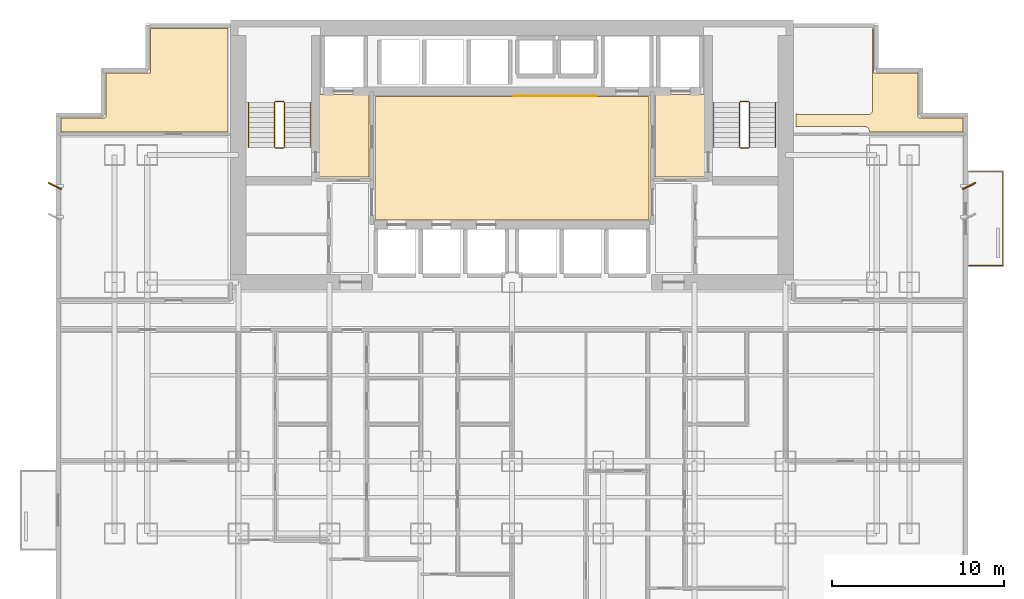
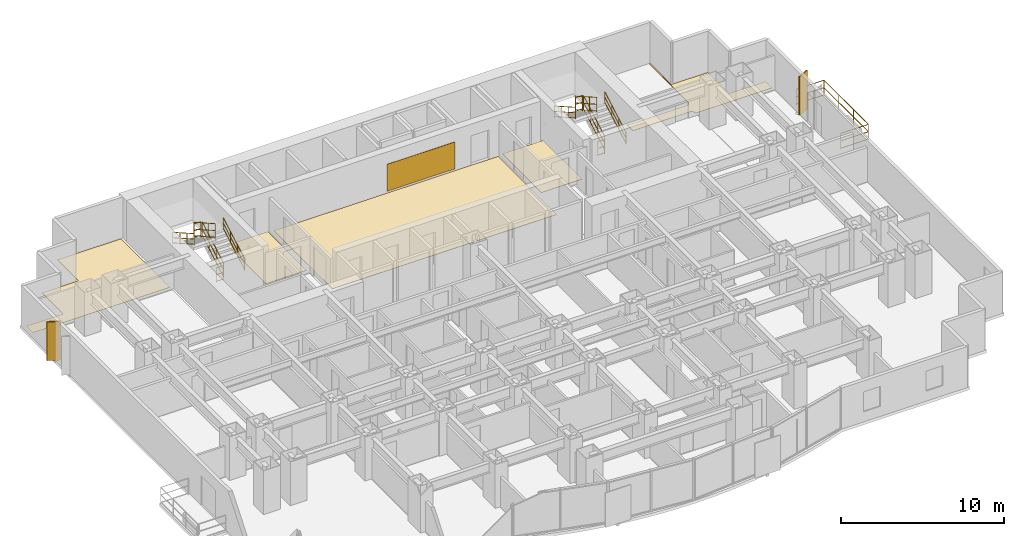
# One storey, part 10 of 10: 13 railings, 6 coverings, 2 shading devices.
"""IFC4 building model written with IfcOpenShell, lengths in metres."""

from ifc_helpers import new_model, si_unit, direction, frame, origin, origin_2d, place, context, subcontext, project, spatial, polyline, rectangle, circle, outline, extrude, source, transform, mapped, material, layer, layer_set, type_object, element, save


model = new_model("IFC4")

# Units and contexts
model_context = context("Model", 3, precision=1e-05, world=origin(), true_north=direction((0.0, 1.0)))
body_context = subcontext(model_context, "Body", "Model", "MODEL_VIEW")
ifc_project = project(units=[si_unit("LENGTHUNIT", "METRE"), si_unit("AREAUNIT", "SQUARE_METRE"), si_unit("VOLUMEUNIT", "CUBIC_METRE"), si_unit("PLANEANGLEUNIT", "RADIAN"), si_unit("MASSUNIT", "GRAM", prefix="KILO")], contexts=[model_context])

# Site, building, storey
site_placement = place(None, origin())
site = spatial("IfcSite", under=ifc_project, at=site_placement, CompositionType="ELEMENT")
building_placement = place(site_placement, origin())
building = spatial("IfcBuilding", under=site, at=building_placement, Name="Qianlan Lanfeng Residences", CompositionType="ELEMENT")
storey_placement = place(building_placement, frame((0.0, 0.0, 37.39990234375)))
storey = spatial("IfcBuildingStorey", under=building, at=storey_placement, Name="L09", CompositionType="ELEMENT", Elevation=37.39990234375)

# Coverings
ifc_material_1 = material(Name="Anodised Bronze Feature Wall Cladding")
ifc_layer_1 = layer(ifc_material_1, 0.02490234375)
ifc_layer_set_1 = layer_set([ifc_layer_1], Name="Anodised Bronze Feature Wall Cladding")
covering_type_1 = type_object("IfcCoveringType", Name="CLD-BRZ-25", PredefinedType="CLADDING", material=ifc_layer_set_1)
covering_1_placement = place(storey_placement, frame((0.0, 0.0, 0.150146484375)))
element("IfcCovering", 1, at=covering_1_placement, inside=storey, type_object=covering_type_1, Name="L09 Lift Lobby Bronze Feature Cladding", PredefinedType="CLADDING", context=body_context, shape_type="SweptSolid", body=[
    extrude(outline(polyline([(26.60009765625, 36.02490234375), (31.39990234375, 36.02490234375), (31.39990234375, 36.050048828125), (26.60009765625, 36.050048828125), (26.60009765625, 36.02490234375)])), origin(), (0.0, 0.0, 1.0), 2.02001953125),
])
ifc_material_2 = material(Name="Honed Taitung Granite Stone Flooring", Category="masonry")
ifc_layer_2 = layer(ifc_material_2, 0.030029296875)
ifc_layer_set_2 = layer_set([ifc_layer_2], Name="Honed Taitung Granite Stone Flooring")
covering_type_2 = type_object("IfcCoveringType", Name="FLR-STN-30", PredefinedType="FLOORING", material=ifc_layer_set_2)
covering_2_placement = place(storey_placement, origin())
element("IfcCovering", 2, at=covering_2_placement, inside=storey, type_object=covering_type_2, Name="L09 Firefighting Lift Lobby Floor Finish", PredefinedType="FLOORING", context=body_context, shape_type="SweptSolid", body=[
    extrude(outline(polyline([(15.2900390625, 31.320068359375), (18.179931640625, 31.320068359375), (18.179931640625, 36.110107421875), (15.2900390625, 36.110107421875), (15.2900390625, 31.320068359375)])), origin(), (0.0, 0.0, 1.0), 0.030029296875),
])
covering_3_placement = place(storey_placement, origin())
element("IfcCovering", 3, at=covering_3_placement, inside=storey, type_object=covering_type_2, Name="L09 Firefighting Lift Lobby Floor Finish", PredefinedType="FLOORING", context=body_context, shape_type="SweptSolid", body=[
    extrude(outline(polyline([(34.820068359375, 31.320068359375), (37.7099609375, 31.320068359375), (37.7099609375, 36.110107421875), (34.820068359375, 36.110107421875), (34.820068359375, 31.320068359375)])), origin(), (0.0, 0.0, 1.0), 0.030029296875),
])
covering_4_placement = place(storey_placement, origin())
element("IfcCovering", 4, at=covering_4_placement, inside=storey, type_object=covering_type_2, Name="L09 Lift Lobby Floor Finish", PredefinedType="FLOORING", context=body_context, shape_type="SweptSolid", body=[
    extrude(outline(polyline([(18.550048828125, 28.820068359375), (34.449951171875, 28.820068359375), (34.449951171875, 36.010009765625), (18.550048828125, 36.010009765625), (18.550048828125, 28.820068359375)])), origin(), (0.0, 0.0, 1.0), 0.030029296875),
])
ifc_material_3 = material(Name="Engineered Smoked Oak Timber Flooring", Category="wood")
ifc_layer_3 = layer(ifc_material_3, 0.02197265625)
ifc_layer_set_3 = layer_set([ifc_layer_3], Name="Engineered Smoked Oak Timber Flooring")
covering_type_3 = type_object("IfcCoveringType", Name="FLR-TIM-22", PredefinedType="FLOORING", material=ifc_layer_set_3)
covering_5_placement = place(storey_placement, origin())
element("IfcCovering", 5, at=covering_5_placement, inside=storey, type_object=covering_type_3, Name="L09 Resident Lounge Floor Finish", PredefinedType="FLOORING", context=body_context, shape_type="SweptSolid", body=[
    extrude(outline(polyline([(0.2900390625, 33.949951171875), (10.0, 33.949951171875), (10.0, 39.9599609375), (5.489990234375, 39.9599609375), (5.489990234375, 37.429931640625), (5.489990234375, 37.423095703125), (5.489013671875, 37.416015625), (5.487060546875, 37.409912109375), (5.485107421875, 37.403076171875), (5.48193359375, 37.39697265625), (5.47802734375, 37.39111328125), (5.47412109375, 37.385986328125), (5.468994140625, 37.381103515625), (5.464111328125, 37.3759765625), (5.458984375, 37.3720703125), (5.452880859375, 37.367919921875), (5.447021484375, 37.364990234375), (5.43994140625, 37.363037109375), (5.43408203125, 37.361083984375), (5.427001953125, 37.360107421875), (5.419921875, 37.360107421875), (2.889892578125, 37.360107421875), (2.889892578125, 34.830078125), (2.889892578125, 34.822998046875), (2.888916015625, 34.81591796875), (2.886962890625, 34.81005859375), (2.885009765625, 34.802978515625), (2.882080078125, 34.797119140625), (2.8779296875, 34.791015625), (2.8740234375, 34.785888671875), (2.868896484375, 34.781005859375), (2.864013671875, 34.77587890625), (2.85888671875, 34.77197265625), (2.85302734375, 34.76806640625), (2.846923828125, 34.764892578125), (2.840087890625, 34.762939453125), (2.833984375, 34.760986328125), (2.826904296875, 34.760009765625), (2.820068359375, 34.760009765625), (0.2900390625, 34.760009765625), (0.2900390625, 33.949951171875)])), origin(), (0.0, 0.0, 1.0), 0.022216796875),
])
covering_6_placement = place(storey_placement, origin())
element("IfcCovering", 6, at=covering_6_placement, inside=storey, type_object=covering_type_3, Name="L09 Resident Lounge Floor Finish", PredefinedType="FLOORING", context=body_context, shape_type="SweptSolid", body=[
    extrude(outline(polyline([(43.0, 34.237060546875), (43.007080078125, 34.239013671875), (43.031005859375, 34.2451171875), (43.054931640625, 34.2490234375), (43.080078125, 34.25), (47.02001953125, 34.25), (47.044921875, 34.2490234375), (47.069091796875, 34.2451171875), (47.093017578125, 34.239013671875), (47.115966796875, 34.23095703125), (47.137939453125, 34.219970703125), (47.158935546875, 34.2080078125), (47.178955078125, 34.193115234375), (47.197021484375, 34.177001953125), (47.212890625, 34.158935546875), (47.22802734375, 34.138916015625), (47.239990234375, 34.117919921875), (47.2509765625, 34.095947265625), (47.259033203125, 34.072998046875), (47.264892578125, 34.049072265625), (47.26904296875, 34.02490234375), (47.27001953125, 34.0), (47.27001953125, 33.949951171875), (52.7099609375, 33.949951171875), (52.7099609375, 34.760009765625), (50.179931640625, 34.760009765625), (50.173095703125, 34.760009765625), (50.166015625, 34.760986328125), (50.159912109375, 34.762939453125), (50.153076171875, 34.764892578125), (50.14697265625, 34.76806640625), (50.14111328125, 34.77197265625), (50.135986328125, 34.77587890625), (50.131103515625, 34.781005859375), (50.1259765625, 34.785888671875), (50.1220703125, 34.791015625), (50.117919921875, 34.797119140625), (50.114990234375, 34.802978515625), (50.113037109375, 34.81005859375), (50.111083984375, 34.81591796875), (50.110107421875, 34.822998046875), (50.110107421875, 34.830078125), (50.110107421875, 37.360107421875), (47.580078125, 37.360107421875), (47.572998046875, 37.360107421875), (47.56591796875, 37.361083984375), (47.56005859375, 37.363037109375), (47.552978515625, 37.364990234375), (47.547119140625, 37.367919921875), (47.541015625, 37.3720703125), (47.535888671875, 37.3759765625), (47.531005859375, 37.381103515625), (47.52587890625, 37.385986328125), (47.52197265625, 37.39111328125), (47.51806640625, 37.39697265625), (47.514892578125, 37.403076171875), (47.512939453125, 37.409912109375), (47.510986328125, 37.416015625), (47.510009765625, 37.423095703125), (47.510009765625, 37.429931640625), (47.510009765625, 39.9599609375), (47.449951171875, 39.9599609375), (47.449951171875, 35.199951171875), (47.448974609375, 35.175048828125), (47.445068359375, 35.15087890625), (47.43896484375, 35.126953125), (47.430908203125, 35.10400390625), (47.419921875, 35.08203125), (47.407958984375, 35.06103515625), (47.39306640625, 35.041015625), (47.376953125, 35.02294921875), (47.35888671875, 35.007080078125), (47.339111328125, 34.991943359375), (47.318115234375, 34.97998046875), (47.2958984375, 34.968994140625), (47.27294921875, 34.9609375), (47.2490234375, 34.955078125), (47.22509765625, 34.950927734375), (47.199951171875, 34.949951171875), (43.199951171875, 34.949951171875), (43.175048828125, 34.950927734375), (43.15087890625, 34.955078125), (43.126953125, 34.9609375), (43.10400390625, 34.968994140625), (43.08203125, 34.97998046875), (43.06103515625, 34.991943359375), (43.041015625, 35.007080078125), (43.02294921875, 35.02294921875), (43.007080078125, 35.041015625), (43.0, 35.050048828125), (43.0, 34.237060546875)])), origin(), (0.0, 0.0, 1.0), 0.022216796875),
])

# Railings
ifc_material_4 = material(Name="Anodised Bronze Aluminium and Laminated Glass Guard Balustrade", Category="aluminium")
railing_type_1 = type_object("IfcRailingType", Name="GR-EXT-1220", PredefinedType="BALUSTRADE", material=ifc_material_4)
railing_1_placement = place(storey_placement, frame((53.070068359375, 31.6298828125, 0.0)))
element("IfcRailing", 7, at=railing_1_placement, inside=storey, type_object=railing_type_1, Name="L09 Terrace Safety Guard GR-L09-EB-N", PredefinedType="BALUSTRADE", context=body_context, shape_type="SweptSolid", body=[
    extrude(circle(Radius=0.02490234375, at=origin_2d()), frame((0.0, 0.0, 0.0849609375), z_axis=(1.0, 0.0, 0.0), x_axis=(0.0, 1.0, 0.0)), (0.0, 0.0, 1.0), 1.9599609375),
    extrude(circle(Radius=0.02490234375, at=origin_2d()), frame((0.0, 0.0, 0.63427734375), z_axis=(1.0, 0.0, 0.0), x_axis=(0.0, 1.0, 0.0)), (0.0, 0.0, 1.0), 1.9599609375),
    extrude(circle(Radius=0.02490234375, at=origin_2d()), frame((0.0, 0.0, 1.19482421875), z_axis=(1.0, 0.0, 0.0), x_axis=(0.0, 1.0, 0.0)), (0.0, 0.0, 1.0), 1.9599609375),
    extrude(circle(Radius=0.02490234375, at=origin_2d()), frame((1.9599609375, 0.0, 0.0849609375), z_axis=(0.0, -1.0, 0.0), x_axis=(1.0, 0.0, 0.0)), (0.0, 0.0, 1.0), 5.4599609375),
    extrude(circle(Radius=0.02490234375, at=origin_2d()), frame((1.9599609375, 0.0, 0.63427734375), z_axis=(0.0, -1.0, 0.0), x_axis=(1.0, 0.0, 0.0)), (0.0, 0.0, 1.0), 5.4599609375),
    extrude(circle(Radius=0.02490234375, at=origin_2d()), frame((1.9599609375, 0.0, 1.19482421875), z_axis=(0.0, -1.0, 0.0), x_axis=(1.0, 0.0, 0.0)), (0.0, 0.0, 1.0), 5.4599609375),
    extrude(circle(Radius=0.02490234375, at=origin_2d()), frame((1.9599609375, -5.4599609375, 0.0849609375), z_axis=(-1.0, 0.0, 0.0), x_axis=(0.0, -1.0, 0.0)), (0.0, 0.0, 1.0), 1.9599609375),
    extrude(circle(Radius=0.02490234375, at=origin_2d()), frame((1.9599609375, -5.4599609375, 0.63427734375), z_axis=(-1.0, 0.0, 0.0), x_axis=(0.0, -1.0, 0.0)), (0.0, 0.0, 1.0), 1.9599609375),
    extrude(circle(Radius=0.02490234375, at=origin_2d()), frame((1.9599609375, -5.4599609375, 1.19482421875), z_axis=(-1.0, 0.0, 0.0), x_axis=(0.0, -1.0, 0.0)), (0.0, 0.0, 1.0), 1.9599609375),
    extrude(circle(Radius=0.02099609375, at=origin_2d()), origin(), (0.0, 0.0, 1.0), 1.169921875),
    extrude(circle(Radius=0.02099609375, at=origin_2d()), frame((1.9599609375, 0.0, 0.0)), (0.0, 0.0, 1.0), 1.169921875),
    extrude(circle(Radius=0.02099609375, at=origin_2d()), frame((1.9599609375, -1.820068359375, 0.0)), (0.0, 0.0, 1.0), 1.169921875),
    extrude(circle(Radius=0.02099609375, at=origin_2d()), frame((1.9599609375, -3.639892578125, 0.0)), (0.0, 0.0, 1.0), 1.169921875),
    extrude(circle(Radius=0.02099609375, at=origin_2d()), frame((1.9599609375, -5.4599609375, 0.0)), (0.0, 0.0, 1.0), 1.169921875),
    extrude(circle(Radius=0.02099609375, at=origin_2d()), frame((0.0, -5.4599609375, 0.0)), (0.0, 0.0, 1.0), 1.169921875),
])
ifc_material_5 = material(Name="Painted Galvanised Steel Guardrail", Category="steel")
railing_type_2 = type_object("IfcRailingType", Name="GR-ST-1120", PredefinedType="GUARDRAIL", material=ifc_material_5)
railing_2_placement = place(storey_placement, frame((13.27001953125, 33.050048828125, 0.1650390625)))
element("IfcRailing", 8, at=railing_2_placement, inside=storey, type_object=railing_type_2, Name="L09 ST-1 stair guard 1", PredefinedType="GUARDRAIL", context=body_context, shape_type="SweptSolid", body=[
    extrude(circle(Radius=0.02392578125, at=origin_2d()), frame((0.0, 0.0, 0.083984375), z_axis=(0.0, 0.869137319866, 0.494570843475), x_axis=(-1.0, 0.0, 0.0)), (0.0, 0.0, 1.0), 3.0029296875),
    extrude(circle(Radius=0.02392578125, at=origin_2d()), frame((0.0, 0.0, 0.58251953125), z_axis=(0.0, 0.869137319866, 0.494570843475), x_axis=(-1.0, 0.0, 0.0)), (0.0, 0.0, 1.0), 3.0029296875),
    extrude(circle(Radius=0.02392578125, at=origin_2d()), frame((0.0, 0.0, 1.09619140625), z_axis=(0.0, 0.869137319866, 0.494570843475), x_axis=(-1.0, 0.0, 0.0)), (0.0, 0.0, 1.0), 3.0029296875),
    extrude(circle(Radius=0.02099609375, at=origin_2d()), origin(), (0.0, 0.0, 1.0), 1.072021484375),
    extrude(circle(Radius=0.02099609375, at=origin_2d()), frame((0.0, 0.869873046875, 0.4951171875)), (0.0, 0.0, 1.0), 1.072021484375),
    extrude(circle(Radius=0.02099609375, at=origin_2d()), frame((0.0, 1.739990234375, 0.989990234375)), (0.0, 0.0, 1.0), 1.072021484375),
    extrude(circle(Radius=0.02099609375, at=origin_2d()), frame((0.0, 2.60986328125, 1.485107421875)), (0.0, 0.0, 1.0), 1.072021484375),
])
railing_3_placement = place(storey_placement, frame((13.219970703125, 35.7099609375, 1.650146484375)))
element("IfcRailing", 9, at=railing_3_placement, inside=storey, type_object=railing_type_2, Name="L09 ST-1 stair guard 2", PredefinedType="GUARDRAIL", context=body_context, shape_type="SweptSolid", body=[
    extrude(circle(Radius=0.02392578125, at=origin_2d()), frame((0.0, 0.0, 0.083984375), z_axis=(-1.0, 0.0, 0.0), x_axis=(0.0, -1.0, 0.0)), (0.0, 0.0, 1.0), 0.47998046875),
    extrude(circle(Radius=0.02392578125, at=origin_2d()), frame((0.0, 0.0, 0.58251953125), z_axis=(-1.0, 0.0, 0.0), x_axis=(0.0, -1.0, 0.0)), (0.0, 0.0, 1.0), 0.47998046875),
    extrude(circle(Radius=0.02392578125, at=origin_2d()), frame((0.0, 0.0, 1.09619140625), z_axis=(-1.0, 0.0, 0.0), x_axis=(0.0, -1.0, 0.0)), (0.0, 0.0, 1.0), 0.47998046875),
    extrude(circle(Radius=0.02099609375, at=origin_2d()), origin(), (0.0, 0.0, 1.0), 1.072021484375),
    extrude(circle(Radius=0.02099609375, at=origin_2d()), frame((-0.47998046875, 0.0, 0.0)), (0.0, 0.0, 1.0), 1.072021484375),
])
railing_4_placement = place(storey_placement, frame((12.68994140625, 35.659912109375, 1.815185546875)))
element("IfcRailing", 10, at=railing_4_placement, inside=storey, type_object=railing_type_2, Name="L09 ST-1 stair guard 3", PredefinedType="GUARDRAIL", context=body_context, shape_type="SweptSolid", body=[
    extrude(circle(Radius=0.02392578125, at=origin_2d()), frame((0.0, 0.0, 0.083984375), z_axis=(0.0, -0.869172267526, 0.494509422927), x_axis=(1.0, 0.0, 0.0)), (0.0, 0.0, 1.0), 3.002685546875),
    extrude(circle(Radius=0.02392578125, at=origin_2d()), frame((0.0, 0.0, 0.58251953125), z_axis=(0.0, -0.869172267526, 0.494509422927), x_axis=(1.0, 0.0, 0.0)), (0.0, 0.0, 1.0), 3.002685546875),
    extrude(circle(Radius=0.02392578125, at=origin_2d()), frame((0.0, 0.0, 1.09619140625), z_axis=(0.0, -0.869172267526, 0.494509422927), x_axis=(1.0, 0.0, 0.0)), (0.0, 0.0, 1.0), 3.002685546875),
    extrude(circle(Radius=0.02099609375, at=origin_2d()), origin(), (0.0, 0.0, 1.0), 1.072021484375),
    extrude(circle(Radius=0.02099609375, at=origin_2d()), frame((0.0, -0.869873046875, 0.494873046875)), (0.0, 0.0, 1.0), 1.072021484375),
    extrude(circle(Radius=0.02099609375, at=origin_2d()), frame((0.0, -1.739990234375, 0.989990234375)), (0.0, 0.0, 1.0), 1.072021484375),
    extrude(circle(Radius=0.02099609375, at=origin_2d()), frame((0.0, -2.60986328125, 1.48486328125)), (0.0, 0.0, 1.0), 1.072021484375),
])
railing_5_placement = place(storey_placement, frame((13.219970703125, 33.0, 0.0)))
element("IfcRailing", 11, at=railing_5_placement, inside=storey, type_object=railing_type_2, Name="L09 ST-1 stair guard 4", PredefinedType="GUARDRAIL", context=body_context, shape_type="SweptSolid", body=[
    extrude(circle(Radius=0.02392578125, at=origin_2d()), frame((0.0, 0.0, 0.083984375), z_axis=(-1.0, 0.0, 0.0), x_axis=(0.0, -1.0, 0.0)), (0.0, 0.0, 1.0), 0.47998046875),
    extrude(circle(Radius=0.02392578125, at=origin_2d()), frame((0.0, 0.0, 0.58251953125), z_axis=(-1.0, 0.0, 0.0), x_axis=(0.0, -1.0, 0.0)), (0.0, 0.0, 1.0), 0.47998046875),
    extrude(circle(Radius=0.02392578125, at=origin_2d()), frame((0.0, 0.0, 1.09619140625), z_axis=(-1.0, 0.0, 0.0), x_axis=(0.0, -1.0, 0.0)), (0.0, 0.0, 1.0), 0.47998046875),
    extrude(circle(Radius=0.02099609375, at=origin_2d()), origin(), (0.0, 0.0, 1.0), 1.072021484375),
    extrude(circle(Radius=0.02099609375, at=origin_2d()), frame((-0.47998046875, 0.0, 0.0)), (0.0, 0.0, 1.0), 1.072021484375),
])
railing_6_placement = place(storey_placement, frame((40.31005859375, 33.050048828125, 0.1650390625)))
element("IfcRailing", 12, at=railing_6_placement, inside=storey, type_object=railing_type_2, Name="L09 ST-2 stair guard 1", PredefinedType="GUARDRAIL", context=body_context, shape_type="SweptSolid", body=[
    extrude(circle(Radius=0.02392578125, at=origin_2d()), frame((0.0, 0.0, 0.083984375), z_axis=(0.0, 0.869137319866, 0.494570843475), x_axis=(-1.0, 0.0, 0.0)), (0.0, 0.0, 1.0), 3.0029296875),
    extrude(circle(Radius=0.02392578125, at=origin_2d()), frame((0.0, 0.0, 0.58251953125), z_axis=(0.0, 0.869137319866, 0.494570843475), x_axis=(-1.0, 0.0, 0.0)), (0.0, 0.0, 1.0), 3.0029296875),
    extrude(circle(Radius=0.02392578125, at=origin_2d()), frame((0.0, 0.0, 1.09619140625), z_axis=(0.0, 0.869137319866, 0.494570843475), x_axis=(-1.0, 0.0, 0.0)), (0.0, 0.0, 1.0), 3.0029296875),
    extrude(circle(Radius=0.02099609375, at=origin_2d()), origin(), (0.0, 0.0, 1.0), 1.072021484375),
    extrude(circle(Radius=0.02099609375, at=origin_2d()), frame((0.0, 0.869873046875, 0.4951171875)), (0.0, 0.0, 1.0), 1.072021484375),
    extrude(circle(Radius=0.02099609375, at=origin_2d()), frame((0.0, 1.739990234375, 0.989990234375)), (0.0, 0.0, 1.0), 1.072021484375),
    extrude(circle(Radius=0.02099609375, at=origin_2d()), frame((0.0, 2.60986328125, 1.485107421875)), (0.0, 0.0, 1.0), 1.072021484375),
])
railing_7_placement = place(storey_placement, frame((40.260009765625, 35.7099609375, 1.650146484375)))
element("IfcRailing", 13, at=railing_7_placement, inside=storey, type_object=railing_type_2, Name="L09 ST-2 stair guard 2", PredefinedType="GUARDRAIL", context=body_context, shape_type="SweptSolid", body=[
    extrude(circle(Radius=0.02392578125, at=origin_2d()), frame((0.0, 0.0, 0.083984375), z_axis=(-1.0, 0.0, 0.0), x_axis=(0.0, -1.0, 0.0)), (0.0, 0.0, 1.0), 0.47998046875),
    extrude(circle(Radius=0.02392578125, at=origin_2d()), frame((0.0, 0.0, 0.58251953125), z_axis=(-1.0, 0.0, 0.0), x_axis=(0.0, -1.0, 0.0)), (0.0, 0.0, 1.0), 0.47998046875),
    extrude(circle(Radius=0.02392578125, at=origin_2d()), frame((0.0, 0.0, 1.09619140625), z_axis=(-1.0, 0.0, 0.0), x_axis=(0.0, -1.0, 0.0)), (0.0, 0.0, 1.0), 0.47998046875),
    extrude(circle(Radius=0.02099609375, at=origin_2d()), origin(), (0.0, 0.0, 1.0), 1.072021484375),
    extrude(circle(Radius=0.02099609375, at=origin_2d()), frame((-0.47998046875, 0.0, 0.0)), (0.0, 0.0, 1.0), 1.072021484375),
])
railing_8_placement = place(storey_placement, frame((39.72998046875, 35.659912109375, 1.815185546875)))
element("IfcRailing", 14, at=railing_8_placement, inside=storey, type_object=railing_type_2, Name="L09 ST-2 stair guard 3", PredefinedType="GUARDRAIL", context=body_context, shape_type="SweptSolid", body=[
    extrude(circle(Radius=0.02392578125, at=origin_2d()), frame((0.0, 0.0, 0.083984375), z_axis=(0.0, -0.869172267526, 0.494509422927), x_axis=(1.0, 0.0, 0.0)), (0.0, 0.0, 1.0), 3.002685546875),
    extrude(circle(Radius=0.02392578125, at=origin_2d()), frame((0.0, 0.0, 0.58251953125), z_axis=(0.0, -0.869172267526, 0.494509422927), x_axis=(1.0, 0.0, 0.0)), (0.0, 0.0, 1.0), 3.002685546875),
    extrude(circle(Radius=0.02392578125, at=origin_2d()), frame((0.0, 0.0, 1.09619140625), z_axis=(0.0, -0.869172267526, 0.494509422927), x_axis=(1.0, 0.0, 0.0)), (0.0, 0.0, 1.0), 3.002685546875),
    extrude(circle(Radius=0.02099609375, at=origin_2d()), origin(), (0.0, 0.0, 1.0), 1.072021484375),
    extrude(circle(Radius=0.02099609375, at=origin_2d()), frame((0.0, -0.869873046875, 0.494873046875)), (0.0, 0.0, 1.0), 1.072021484375),
    extrude(circle(Radius=0.02099609375, at=origin_2d()), frame((0.0, -1.739990234375, 0.989990234375)), (0.0, 0.0, 1.0), 1.072021484375),
    extrude(circle(Radius=0.02099609375, at=origin_2d()), frame((0.0, -2.60986328125, 1.48486328125)), (0.0, 0.0, 1.0), 1.072021484375),
])
railing_9_placement = place(storey_placement, frame((40.260009765625, 33.0, 0.0)))
element("IfcRailing", 15, at=railing_9_placement, inside=storey, type_object=railing_type_2, Name="L09 ST-2 stair guard 4", PredefinedType="GUARDRAIL", context=body_context, shape_type="SweptSolid", body=[
    extrude(circle(Radius=0.02392578125, at=origin_2d()), frame((0.0, 0.0, 0.083984375), z_axis=(-1.0, 0.0, 0.0), x_axis=(0.0, -1.0, 0.0)), (0.0, 0.0, 1.0), 0.47998046875),
    extrude(circle(Radius=0.02392578125, at=origin_2d()), frame((0.0, 0.0, 0.58251953125), z_axis=(-1.0, 0.0, 0.0), x_axis=(0.0, -1.0, 0.0)), (0.0, 0.0, 1.0), 0.47998046875),
    extrude(circle(Radius=0.02392578125, at=origin_2d()), frame((0.0, 0.0, 1.09619140625), z_axis=(-1.0, 0.0, 0.0), x_axis=(0.0, -1.0, 0.0)), (0.0, 0.0, 1.0), 0.47998046875),
    extrude(circle(Radius=0.02099609375, at=origin_2d()), origin(), (0.0, 0.0, 1.0), 1.072021484375),
    extrude(circle(Radius=0.02099609375, at=origin_2d()), frame((-0.47998046875, 0.0, 0.0)), (0.0, 0.0, 1.0), 1.072021484375),
])
ifc_material_6 = material(Name="Brushed Stainless Steel Handrail", Category="steel")
railing_type_3 = type_object("IfcRailingType", Name="HR-ST-920", PredefinedType="HANDRAIL", material=ifc_material_6)
railing_10_placement = place(storey_placement, frame((14.77001953125, 33.050048828125, 0.1650390625)))
element("IfcRailing", 16, at=railing_10_placement, inside=storey, type_object=railing_type_3, Name="L09 ST-1 stair handrail 1", PredefinedType="HANDRAIL", context=body_context, shape_type="SweptSolid", body=[
    extrude(circle(Radius=0.02392578125, at=origin_2d()), frame((0.0, 0.0, 0.083984375), z_axis=(0.0, 0.869137319866, 0.494570843475), x_axis=(-1.0, 0.0, 0.0)), (0.0, 0.0, 1.0), 3.0029296875),
    extrude(circle(Radius=0.02392578125, at=origin_2d()), frame((0.0, 0.0, 0.468017578125), z_axis=(0.0, 0.869137319866, 0.494570843475), x_axis=(-1.0, 0.0, 0.0)), (0.0, 0.0, 1.0), 3.0029296875),
    extrude(circle(Radius=0.02392578125, at=origin_2d()), frame((0.0, 0.0, 0.8759765625), z_axis=(0.0, 0.869137319866, 0.494570843475), x_axis=(-1.0, 0.0, 0.0)), (0.0, 0.0, 1.0), 3.0029296875),
    extrude(circle(Radius=0.02099609375, at=origin_2d()), origin(), (0.0, 0.0, 1.0), 0.851806640625),
    extrude(circle(Radius=0.02099609375, at=origin_2d()), frame((0.0, 0.869873046875, 0.4951171875)), (0.0, 0.0, 1.0), 0.851806640625),
    extrude(circle(Radius=0.02099609375, at=origin_2d()), frame((0.0, 1.739990234375, 0.989990234375)), (0.0, 0.0, 1.0), 0.851806640625),
    extrude(circle(Radius=0.02099609375, at=origin_2d()), frame((0.0, 2.60986328125, 1.485107421875)), (0.0, 0.0, 1.0), 0.851806640625),
])
railing_11_placement = place(storey_placement, frame((11.18994140625, 35.659912109375, 1.815185546875)))
element("IfcRailing", 17, at=railing_11_placement, inside=storey, type_object=railing_type_3, Name="L09 ST-1 stair handrail 2", PredefinedType="HANDRAIL", context=body_context, shape_type="SweptSolid", body=[
    extrude(circle(Radius=0.02392578125, at=origin_2d()), frame((0.0, 0.0, 0.083984375), z_axis=(0.0, -0.869172267526, 0.494509422927), x_axis=(1.0, 0.0, 0.0)), (0.0, 0.0, 1.0), 3.002685546875),
    extrude(circle(Radius=0.02392578125, at=origin_2d()), frame((0.0, 0.0, 0.468017578125), z_axis=(0.0, -0.869172267526, 0.494509422927), x_axis=(1.0, 0.0, 0.0)), (0.0, 0.0, 1.0), 3.002685546875),
    extrude(circle(Radius=0.02392578125, at=origin_2d()), frame((0.0, 0.0, 0.8759765625), z_axis=(0.0, -0.869172267526, 0.494509422927), x_axis=(1.0, 0.0, 0.0)), (0.0, 0.0, 1.0), 3.002685546875),
    extrude(circle(Radius=0.02099609375, at=origin_2d()), origin(), (0.0, 0.0, 1.0), 0.851806640625),
    extrude(circle(Radius=0.02099609375, at=origin_2d()), frame((0.0, -0.869873046875, 0.494873046875)), (0.0, 0.0, 1.0), 0.851806640625),
    extrude(circle(Radius=0.02099609375, at=origin_2d()), frame((0.0, -1.739990234375, 0.989990234375)), (0.0, 0.0, 1.0), 0.851806640625),
    extrude(circle(Radius=0.02099609375, at=origin_2d()), frame((0.0, -2.60986328125, 1.48486328125)), (0.0, 0.0, 1.0), 0.851806640625),
])
railing_12_placement = place(storey_placement, frame((41.81005859375, 33.050048828125, 0.1650390625)))
element("IfcRailing", 18, at=railing_12_placement, inside=storey, type_object=railing_type_3, Name="L09 ST-2 stair handrail 1", PredefinedType="HANDRAIL", context=body_context, shape_type="SweptSolid", body=[
    extrude(circle(Radius=0.02392578125, at=origin_2d()), frame((0.0, 0.0, 0.083984375), z_axis=(0.0, 0.869137319866, 0.494570843475), x_axis=(-1.0, 0.0, 0.0)), (0.0, 0.0, 1.0), 3.0029296875),
    extrude(circle(Radius=0.02392578125, at=origin_2d()), frame((0.0, 0.0, 0.468017578125), z_axis=(0.0, 0.869137319866, 0.494570843475), x_axis=(-1.0, 0.0, 0.0)), (0.0, 0.0, 1.0), 3.0029296875),
    extrude(circle(Radius=0.02392578125, at=origin_2d()), frame((0.0, 0.0, 0.8759765625), z_axis=(0.0, 0.869137319866, 0.494570843475), x_axis=(-1.0, 0.0, 0.0)), (0.0, 0.0, 1.0), 3.0029296875),
    extrude(circle(Radius=0.02099609375, at=origin_2d()), origin(), (0.0, 0.0, 1.0), 0.851806640625),
    extrude(circle(Radius=0.02099609375, at=origin_2d()), frame((0.0, 0.869873046875, 0.4951171875)), (0.0, 0.0, 1.0), 0.851806640625),
    extrude(circle(Radius=0.02099609375, at=origin_2d()), frame((0.0, 1.739990234375, 0.989990234375)), (0.0, 0.0, 1.0), 0.851806640625),
    extrude(circle(Radius=0.02099609375, at=origin_2d()), frame((0.0, 2.60986328125, 1.485107421875)), (0.0, 0.0, 1.0), 0.851806640625),
])
railing_13_placement = place(storey_placement, frame((38.22998046875, 35.659912109375, 1.815185546875)))
element("IfcRailing", 19, at=railing_13_placement, inside=storey, type_object=railing_type_3, Name="L09 ST-2 stair handrail 2", PredefinedType="HANDRAIL", context=body_context, shape_type="SweptSolid", body=[
    extrude(circle(Radius=0.02392578125, at=origin_2d()), frame((0.0, 0.0, 0.083984375), z_axis=(0.0, -0.869172267526, 0.494509422927), x_axis=(1.0, 0.0, 0.0)), (0.0, 0.0, 1.0), 3.002685546875),
    extrude(circle(Radius=0.02392578125, at=origin_2d()), frame((0.0, 0.0, 0.468017578125), z_axis=(0.0, -0.869172267526, 0.494509422927), x_axis=(1.0, 0.0, 0.0)), (0.0, 0.0, 1.0), 3.002685546875),
    extrude(circle(Radius=0.02392578125, at=origin_2d()), frame((0.0, 0.0, 0.8759765625), z_axis=(0.0, -0.869172267526, 0.494509422927), x_axis=(1.0, 0.0, 0.0)), (0.0, 0.0, 1.0), 3.002685546875),
    extrude(circle(Radius=0.02099609375, at=origin_2d()), origin(), (0.0, 0.0, 1.0), 0.851806640625),
    extrude(circle(Radius=0.02099609375, at=origin_2d()), frame((0.0, -0.869873046875, 0.494873046875)), (0.0, 0.0, 1.0), 0.851806640625),
    extrude(circle(Radius=0.02099609375, at=origin_2d()), frame((0.0, -1.739990234375, 0.989990234375)), (0.0, 0.0, 1.0), 0.851806640625),
    extrude(circle(Radius=0.02099609375, at=origin_2d()), frame((0.0, -2.60986328125, 1.48486328125)), (0.0, 0.0, 1.0), 0.851806640625),
])

# Shading devices
ifc_material_7 = material(Name="Anodised Bronze Aluminium Solar Fin", Category="aluminium")
shading_device_type = type_object("IfcShadingDeviceType", Name="FIN-BRZ-850", PredefinedType="SHUTTER", material=ifc_material_7)
shared_shape = source(origin(), body_context, "Body", "SweptSolid", [
    extrude(rectangle(XDim=0.85009765625, YDim=0.080078125, at=origin_2d()), origin(), (0.0, 0.0, 1.0), 2.89990234375),
])
for number, where, z_axis, x_axis, name in (
    (20, (-0.070068359375, 30.800048828125, 0.000244140625), (0.0, 0.0, 1.0), (0.898794046299, -0.438371146789, 0.0), "L09 Raked Bronze Solar Fin W2"),
    (21, (53.070068359375, 30.800048828125, 0.000244140625), (0.0, 0.0, 1.0), (0.898794046299, 0.438371146789, 0.0), "L09 Raked Bronze Solar Fin E2"),
):
    element("IfcShadingDevice", number, at=place(storey_placement, frame(where, z_axis=z_axis, x_axis=x_axis)), inside=storey, type_object=shading_device_type, Name=name, PredefinedType="SHUTTER", context=body_context, shape_type="MappedRepresentation", body=[
        mapped(shared_shape, transform((0.0, 0.0, 0.0), scale=1.0)),
    ])

save(model, "model.ifc")
